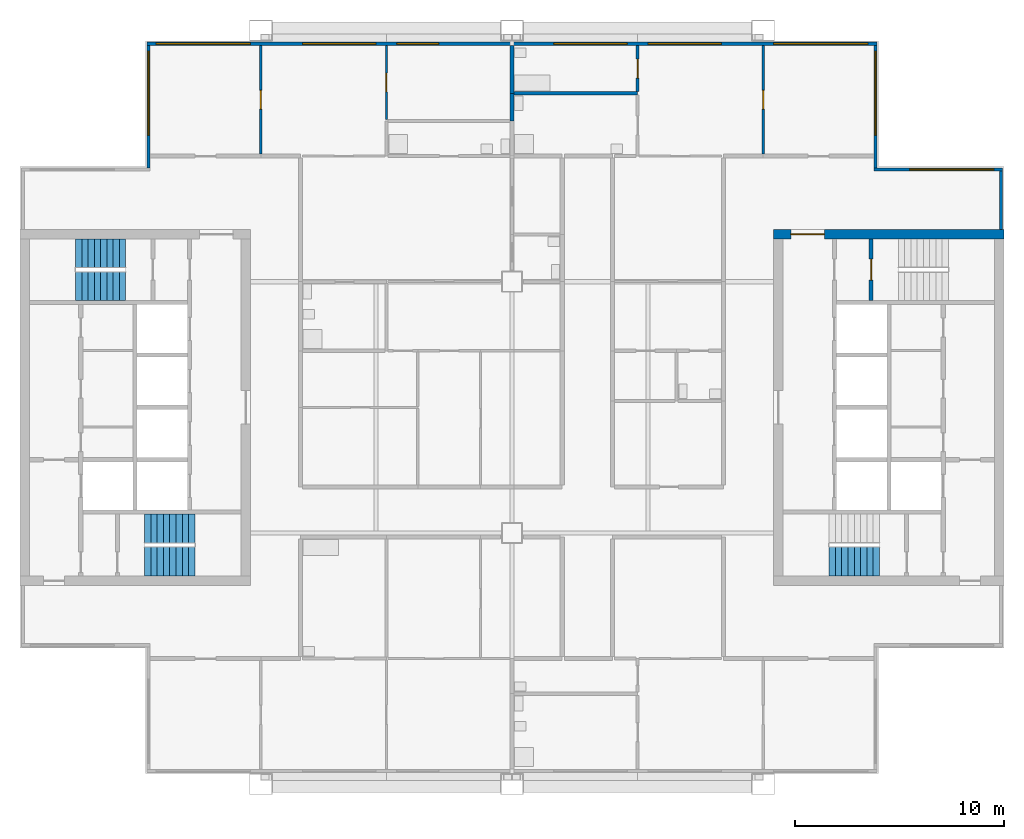
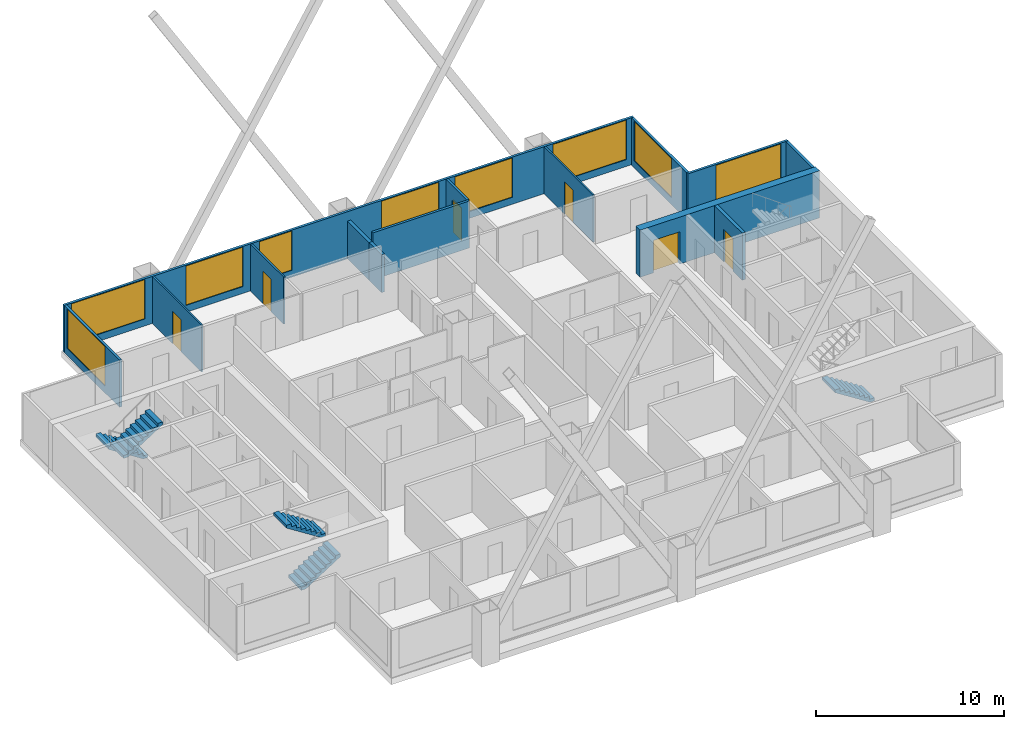
# One storey, part 6 of 9: 14 walls, 9 windows, 6 doors, 5 stair flights, 15 openings, 3 elements without a shape of their own.
"""IFC4 building model written with IfcOpenShell, lengths in metres."""

import ifcopenshell
import ifcopenshell.guid

model = None  # the IFC model being written
_history = None  # IfcOwnerHistory: only IFC2X3 demands one
_inside = {}  # id of a spatial element -> (the spatial element, [elements in it])
_under = {}  # id of a project, library or spatial element -> (it, [spatial elements below it])
_declared = {}  # id of a project -> (the project, [libraries it declares])
_typed = {}  # id of a type object -> (the type object, [elements of that type])
_made_of = {}  # id of a material, layer set ... -> (it, [elements and type objects made of it])


def new_model(schema):
    """Start an empty IFC model of exactly this schema.

    Asked for "IFC4X3", IfcOpenShell would pick the latest addendum, in which some entities
    have other attributes; the version numbers below select the first issue.
    IFC2X3 requires an IfcOwnerHistory on every rooted entity: one is made here for all.
    """
    global model, _history
    if schema == "IFC4X3":
        model = ifcopenshell.file(schema_version=(4, 3, 0, 0))
    else:
        model = ifcopenshell.file(schema=schema)
    _inside.clear()
    _under.clear()
    _declared.clear()
    _typed.clear()
    _made_of.clear()
    _history = None
    if model.schema == "IFC2X3":
        org = make("IfcOrganization", Name="unknown")
        user = make(
            "IfcPersonAndOrganization",
            ThePerson=make("IfcPerson", FamilyName="unknown"),
            TheOrganization=org,
        )
        app = make(
            "IfcApplication",
            ApplicationDeveloper=org,
            Version="unknown",
            ApplicationFullName="unknown",
            ApplicationIdentifier="unknown",
        )
        _history = make(
            "IfcOwnerHistory",
            OwningUser=user,
            OwningApplication=app,
            ChangeAction="ADDED",
            CreationDate=0,
        )
    return model


def make(cls, **values):
    """One entity of the class cls with the attributes given. An attribute that is None is left unset."""
    return model.create_entity(
        cls, **{name: value for name, value in values.items() if value is not None}
    )


def rooted(cls, **values):
    """An entity with a GlobalId (a new one), such as an element, a storey or a relation."""
    return make(cls, GlobalId=ifcopenshell.guid.new(), OwnerHistory=_history, **values)


def si_unit(unit_type, name, prefix=None):
    """IfcSIUnit, for example si_unit("LENGTHUNIT", "METRE", prefix="MILLI")."""
    return make("IfcSIUnit", UnitType=unit_type, Prefix=prefix, Name=name)


def assignment(units):
    """IfcUnitAssignment: the units of a project."""
    return None if units is None else make("IfcUnitAssignment", Units=units)


def point(xyz):
    """IfcCartesianPoint."""
    return None if xyz is None else make("IfcCartesianPoint", Coordinates=xyz)


def direction(xyz):
    """IfcDirection."""
    return None if xyz is None else make("IfcDirection", DirectionRatios=xyz)


def frame(location, z_axis=None, x_axis=None):
    """IfcAxis2Placement3D, a coordinate frame: its origin and axes. An axis left out is left unset."""
    return make(
        "IfcAxis2Placement3D",
        Location=point(location),
        Axis=direction(z_axis),
        RefDirection=direction(x_axis),
    )


def frame_2d(location, x_axis=None):
    """IfcAxis2Placement2D, a coordinate frame in the plane: its origin and x axis."""
    return make(
        "IfcAxis2Placement2D", Location=point(location), RefDirection=direction(x_axis)
    )


def origin():
    """The frame at (0, 0, 0) with its axes left unset."""
    return frame((0.0, 0.0, 0.0))


def place(relative_to, where):
    """IfcLocalPlacement: puts the frame where relative to a parent placement (None: the world)."""
    return make(
        "IfcLocalPlacement", PlacementRelTo=relative_to, RelativePlacement=where
    )


def context(
    kind, dimensions, precision=None, world=None, true_north=None, identifier=None
):
    """IfcGeometricRepresentationContext, for example the 3D "Model" context."""
    return make(
        "IfcGeometricRepresentationContext",
        ContextIdentifier=identifier,
        ContextType=kind,
        CoordinateSpaceDimension=dimensions,
        Precision=precision,
        WorldCoordinateSystem=world,
        TrueNorth=true_north,
    )


def subcontext(parent, identifier, kind, view, scale=None):
    """IfcGeometricRepresentationSubContext, for example "Body" below "Model"."""
    return make(
        "IfcGeometricRepresentationSubContext",
        ContextIdentifier=identifier,
        ContextType=kind,
        ParentContext=parent,
        TargetScale=scale,
        TargetView=view,
    )


def project(units=None, contexts=None):
    """IfcProject with its units and contexts."""
    return rooted(
        "IfcProject",
        Name="project",
        RepresentationContexts=contexts,
        UnitsInContext=assignment(units),
    )


def spatial(cls, under=None, at=None, **own):
    """A site, building, storey or space (cls), placed at a placement, below another one or the project."""
    s = rooted(cls, ObjectPlacement=at, **own)
    if under is not None:
        _under.setdefault(under.id(), (under, []))[1].append(s)
    return s


def polyline(points):
    """IfcPolyline through the points."""
    return make("IfcPolyline", Points=[point(p) for p in points])


def profile(cls, at=None, kind="AREA", **sizes):
    """A parametric profile (cls). Its sizes go by their IFC names, for example OverallWidth=200.0."""
    return make(cls, ProfileType=kind, Position=at, **sizes)


def rectangle(**sizes):
    """IfcRectangleProfileDef."""
    return profile("IfcRectangleProfileDef", **sizes)


def outline(outer, holes=None, kind="AREA"):
    """IfcArbitraryClosedProfileDef: a profile drawn as a closed curve; with holes, ...WithVoids."""
    if holes is None:
        return make("IfcArbitraryClosedProfileDef", ProfileType=kind, OuterCurve=outer)
    return make(
        "IfcArbitraryProfileDefWithVoids",
        ProfileType=kind,
        OuterCurve=outer,
        InnerCurves=holes,
    )


def extrude(swept, where, along, depth):
    """IfcExtrudedAreaSolid: the profile swept, set in the frame where, extruded along a direction by depth."""
    return make(
        "IfcExtrudedAreaSolid",
        SweptArea=swept,
        Position=where,
        ExtrudedDirection=direction(along),
        Depth=depth,
    )


def shape(context_of_items, identifier, shape_type, items):
    """IfcShapeRepresentation: the items that make up one representation, for example the "Body"."""
    return make(
        "IfcShapeRepresentation",
        ContextOfItems=context_of_items,
        RepresentationIdentifier=identifier,
        RepresentationType=shape_type,
        Items=items,
    )


def material(Name=None, Category=None):
    """IfcMaterial."""
    return make("IfcMaterial", Name=Name, Category=Category)


def layer(
    of_material, thickness, ventilated=None, Name=None, Category=None, Priority=None
):
    """IfcMaterialLayer: one layer of a wall or slab, of a material (None: an air gap)."""
    return make(
        "IfcMaterialLayer",
        Material=of_material,
        LayerThickness=thickness,
        IsVentilated=ventilated,
        Name=Name,
        Category=Category,
        Priority=Priority,
    )


def layer_set(layers, Name=None):
    """IfcMaterialLayerSet."""
    return make("IfcMaterialLayerSet", MaterialLayers=layers, LayerSetName=Name)


def made_of(thing, what):
    """Note that an element or type object is made of a material, layer set ...; save() writes the relation."""
    if what is not None:
        _made_of.setdefault(what.id(), (what, []))[1].append(thing)
    return thing


def type_object(cls, material=None, **own):
    """A type object (cls), such as IfcWallType, which elements share."""
    return made_of(rooted(cls, **own), material)


def element(
    cls,
    number,
    at=None,
    inside=None,
    cuts=None,
    type_object=None,
    material=None,
    context=None,
    identifier="Body",
    shape_type=None,
    held_by="IfcProductDefinitionShape",
    body=None,
    shapes=None,
    **own,
):
    """One element of the class cls, such as IfcWall. Its Tag is "e" and its number.

    at: its placement. inside: the storey or other place that contains it. cuts: it is an
    opening in that element (IfcRelVoidsElement). A single representation is given by context,
    identifier, shape_type and body (its items); several are given by shapes. held_by: the class
    of the entity that holds the representations. save() writes the other relations.
    """
    e = rooted(cls, Tag="e%d" % number, ObjectPlacement=at, **own)
    if body is not None:
        shapes = [shape(context, identifier, shape_type, body)]
    if shapes is not None:
        e.Representation = make(held_by, Representations=shapes)
    if inside is not None:
        _inside.setdefault(inside.id(), (inside, []))[1].append(e)
    if cuts is not None:
        rooted(
            "IfcRelVoidsElement", RelatingBuildingElement=cuts, RelatedOpeningElement=e
        )
    if type_object is not None:
        _typed.setdefault(type_object.id(), (type_object, []))[1].append(e)
    return made_of(e, material)


def fill(opening, filler):
    """IfcRelFillsElement: the door or window that sits in an opening."""
    return rooted(
        "IfcRelFillsElement",
        RelatingOpeningElement=opening,
        RelatedBuildingElement=filler,
    )


def aggregate(whole, parts):
    """IfcRelAggregates: a whole, such as a stair, and the parts it consists of."""
    return rooted("IfcRelAggregates", RelatingObject=whole, RelatedObjects=parts)


def save(model, path):
    """Write the relations noted so far, then the file.

    IfcRelAggregates (storeys below a building ...), IfcRelContainedInSpatialStructure (elements
    in a storey), IfcRelDefinesByType, IfcRelAssociatesMaterial and IfcRelDeclares: one each for
    every whole, place, type object, material and project.
    """
    for whole, parts in _under.values():
        aggregate(whole, parts)
    for where, things in _inside.values():
        rooted(
            "IfcRelContainedInSpatialStructure",
            RelatedElements=things,
            RelatingStructure=where,
        )
    for kind, things in _typed.values():
        rooted("IfcRelDefinesByType", RelatedObjects=things, RelatingType=kind)
    for what, things in _made_of.values():
        rooted("IfcRelAssociatesMaterial", RelatedObjects=things, RelatingMaterial=what)
    for by, libraries in _declared.values():
        rooted("IfcRelDeclares", RelatingContext=by, RelatedDefinitions=libraries)
    model.write(path)


model = new_model("IFC4")

# Units and contexts
model_context = context("Model", 3, precision=1e-05, world=origin(), true_north=direction((0.0, 1.0)))
body_context = subcontext(model_context, "Body", "Model", "MODEL_VIEW")
ifc_project = project(units=[si_unit("LENGTHUNIT", "METRE"), si_unit("AREAUNIT", "SQUARE_METRE"), si_unit("VOLUMEUNIT", "CUBIC_METRE"), si_unit("PLANEANGLEUNIT", "RADIAN"), si_unit("MASSUNIT", "GRAM", prefix="KILO")], contexts=[model_context])

# Site, building, storey
site_placement = place(None, origin())
site = spatial("IfcSite", under=ifc_project, at=site_placement, CompositionType="ELEMENT")
building_placement = place(site_placement, origin())
building = spatial("IfcBuilding", under=site, at=building_placement, Name="Kitamizu Gate Tower and Museum", CompositionType="ELEMENT")
storey_placement = place(building_placement, frame((0.0, 0.0, 217.949951171875)))
storey = spatial("IfcBuildingStorey", under=building, at=storey_placement, Name="L58", CompositionType="ELEMENT", Elevation=217.949951171875)

# Wall, opening, door
ifc_material_1 = material(Name="Concrete Fc42", Category="concrete")
ifc_layer_1 = layer(ifc_material_1, 0.449951171875)
ifc_layer_set_1 = layer_set([ifc_layer_1], Name="Concrete Fc42")
wall_type_1 = type_object("IfcWallType", Name="Core wall 450", PredefinedType="SHEAR", material=ifc_layer_set_1)
wall_1_placement = place(storey_placement, frame((59.5, 38.27490234375, 0.0), z_axis=(0.0, 0.0, 1.0), x_axis=(-1.0, 0.0, 0.0)))
wall_1 = element("IfcWall", 1, at=wall_1_placement, inside=storey, type_object=wall_type_1, Name="Core wall EN", PredefinedType="SHEAR", context=body_context, shape_type="SweptSolid", body=[
    extrude(rectangle(XDim=11.0, YDim=0.449951171875, at=frame_2d((5.5, 0.0))), origin(), (0.0, 0.0, 1.0), 3.050048828125),
])
opening_1_placement = place(wall_1_placement, frame((8.574951171875, 0.0, 0.0)))
opening_1 = element("IfcOpeningElement", 2, at=opening_1_placement, cuts=wall_1, Name="Opening L58-051", PredefinedType="OPENING", context=body_context, shape_type="SweptSolid", body=[
    extrude(rectangle(XDim=1.60009765625, YDim=2.10009765625, at=frame_2d((0.800048828125, 1.050048828125))), frame((0.0, 0.23486328125, 0.0), z_axis=(0.0, -1.0, 0.0), x_axis=(1.0, 0.0, 0.0)), (0.0, 0.0, 1.0), 0.469970703125),
])
ifc_material_2 = material(Name="Timber door set", Category="wood")
door_type_1 = type_object("IfcDoorType", Name="Entrance door 1600", OperationType="DOUBLE_DOOR_SINGLE_SWING", PredefinedType="DOOR", material=ifc_material_2)
door_1_placement = place(opening_1_placement, origin())
door_1 = element("IfcDoor", 3, at=door_1_placement, inside=storey, type_object=door_type_1, Name="Lobby door L58-051", OperationType="DOUBLE_DOOR_SINGLE_SWING", OverallHeight=2.10009765625, OverallWidth=1.60009765625, PredefinedType="DOOR", context=body_context, shape_type="SweptSolid", body=[
    extrude(rectangle(XDim=1.60009765625, YDim=2.10009765625, at=frame_2d((0.800048828125, 1.050048828125))), frame((0.0, 0.02490234375, 0.0), z_axis=(0.0, -1.0, 0.0), x_axis=(1.0, 0.0, 0.0)), (0.0, 0.0, 1.0), 0.050048828125),
])
fill(opening_1, door_1)

ifc_material_3 = material(Name="Gypsum board on galvanised stud")
ifc_layer_2 = layer(ifc_material_3, 0.10009765625)
ifc_layer_set_2 = layer_set([ifc_layer_2], Name="Gypsum board on galvanised stud")
wall_type_2 = type_object("IfcWallType", Name="Partition 100 NOT RATED", PredefinedType="PARTITIONING", material=ifc_layer_set_2)
wall_2_placement = place(storey_placement, frame((24.0, 42.10009765625, 0.0), z_axis=(0.0, 0.0, 1.0), x_axis=(0.0, 1.0, 0.0)))
wall_2 = element("IfcWall", 4, at=wall_2_placement, inside=storey, type_object=wall_type_2, Name="Partition L58-031", PredefinedType="PARTITIONING", context=body_context, shape_type="SweptSolid", body=[
    extrude(rectangle(XDim=5.179931640625, YDim=0.10009765625, at=frame_2d((2.58984375, 0.0))), origin(), (0.0, 0.0, 1.0), 3.050048828125),
])
opening_2_placement = place(wall_2_placement, frame((2.139892578125, 0.0, 0.0)))
opening_2 = element("IfcOpeningElement", 5, at=opening_2_placement, cuts=wall_2, Name="Opening L58-013", PredefinedType="OPENING", context=body_context, shape_type="SweptSolid", body=[
    extrude(rectangle(XDim=0.89990234375, YDim=2.10009765625, at=frame_2d((0.449951171875, 1.050048828125))), frame((0.0, 0.06005859375, 0.0), z_axis=(0.0, -1.0, 0.0), x_axis=(1.0, 0.0, 0.0)), (0.0, 0.0, 1.0), 0.1201171875),
])
ifc_material_4 = material(Name="Timber door set", Category="wood")
door_type_2 = type_object("IfcDoorType", Name="Room door 900", OperationType="NOTDEFINED", PredefinedType="DOOR", material=ifc_material_4)
door_2_placement = place(opening_2_placement, frame((0.89990234375, 0.0, 0.0), x_axis=(-1.0, 0.0, 0.0)))
door_2 = element("IfcDoor", 6, at=door_2_placement, inside=storey, type_object=door_type_2, Name="Door L58-013", OperationType="SINGLE_SWING_LEFT", OverallHeight=2.10009765625, OverallWidth=0.89990234375, PredefinedType="DOOR", context=body_context, shape_type="SweptSolid", body=[
    extrude(rectangle(XDim=0.89990234375, YDim=2.10009765625, at=frame_2d((0.449951171875, 1.050048828125))), frame((0.0, 0.02490234375, 0.0), z_axis=(0.0, -1.0, 0.0), x_axis=(1.0, 0.0, 0.0)), (0.0, 0.0, 1.0), 0.050048828125),
])
fill(opening_2, door_2)

wall_3_placement = place(storey_placement, frame((30.0, 43.7548828125, 0.0), z_axis=(0.0, 0.0, 1.0), x_axis=(0.0, 1.0, 0.0)))
wall_3 = element("IfcWall", 7, at=wall_3_placement, inside=storey, type_object=wall_type_2, Name="Partition L58-033", PredefinedType="PARTITIONING", context=body_context, shape_type="SweptSolid", body=[
    extrude(rectangle(XDim=3.525146484375, YDim=0.10009765625, at=frame_2d((1.7626953125, 0.0))), origin(), (0.0, 0.0, 1.0), 3.050048828125),
])
opening_3_placement = place(wall_3_placement, frame((1.3125, 0.0, 0.0)))
opening_3 = element("IfcOpeningElement", 8, at=opening_3_placement, cuts=wall_3, Name="Opening L58-017", PredefinedType="OPENING", context=body_context, shape_type="SweptSolid", body=[
    extrude(rectangle(XDim=0.89990234375, YDim=2.10009765625, at=frame_2d((0.449951171875, 1.050048828125))), frame((0.0, 0.06005859375, 0.0), z_axis=(0.0, -1.0, 0.0), x_axis=(1.0, 0.0, 0.0)), (0.0, 0.0, 1.0), 0.1201171875),
])
door_3_placement = place(opening_3_placement, frame((0.89990234375, 0.0, 0.0), x_axis=(-1.0, 0.0, 0.0)))
door_3 = element("IfcDoor", 9, at=door_3_placement, inside=storey, type_object=door_type_2, Name="Door L58-017", OperationType="SINGLE_SWING_LEFT", OverallHeight=2.10009765625, OverallWidth=0.89990234375, PredefinedType="DOOR", context=body_context, shape_type="SweptSolid", body=[
    extrude(rectangle(XDim=0.89990234375, YDim=2.10009765625, at=frame_2d((0.449951171875, 1.050048828125))), frame((0.0, 0.02490234375, 0.0), z_axis=(0.0, -1.0, 0.0), x_axis=(1.0, 0.0, 0.0)), (0.0, 0.0, 1.0), 0.050048828125),
])
fill(opening_3, door_3)

wall_4_placement = place(storey_placement, frame((48.0, 42.10009765625, 0.0), z_axis=(0.0, 0.0, 1.0), x_axis=(0.0, 1.0, 0.0)))
wall_4 = element("IfcWall", 10, at=wall_4_placement, inside=storey, type_object=wall_type_2, Name="Partition L58-076", PredefinedType="PARTITIONING", context=body_context, shape_type="SweptSolid", body=[
    extrude(rectangle(XDim=5.179931640625, YDim=0.10009765625, at=frame_2d((2.58984375, 0.0))), origin(), (0.0, 0.0, 1.0), 3.050048828125),
])
opening_4_placement = place(wall_4_placement, frame((2.139892578125, 0.0, 0.0)))
opening_4 = element("IfcOpeningElement", 11, at=opening_4_placement, cuts=wall_4, Name="Opening L58-026", PredefinedType="OPENING", context=body_context, shape_type="SweptSolid", body=[
    extrude(rectangle(XDim=0.89990234375, YDim=2.10009765625, at=frame_2d((0.449951171875, 1.050048828125))), frame((0.0, 0.06005859375, 0.0), z_axis=(0.0, -1.0, 0.0), x_axis=(1.0, 0.0, 0.0)), (0.0, 0.0, 1.0), 0.1201171875),
])
door_4_placement = place(opening_4_placement, origin())
door_4 = element("IfcDoor", 12, at=door_4_placement, inside=storey, type_object=door_type_2, Name="Door L58-026", OperationType="SINGLE_SWING_RIGHT", OverallHeight=2.10009765625, OverallWidth=0.89990234375, PredefinedType="DOOR", context=body_context, shape_type="SweptSolid", body=[
    extrude(rectangle(XDim=0.89990234375, YDim=2.10009765625, at=frame_2d((0.449951171875, 1.050048828125))), frame((0.0, 0.02490234375, 0.0), z_axis=(0.0, -1.0, 0.0), x_axis=(1.0, 0.0, 0.0)), (0.0, 0.0, 1.0), 0.050048828125),
])
fill(opening_4, door_4)

# Wall
ifc_material_5 = material(Name="Gypsum board on galvanised stud")
ifc_layer_3 = layer(ifc_material_5, 0.14990234375)
ifc_layer_set_3 = layer_set([ifc_layer_3], Name="Gypsum board on galvanised stud")
wall_type_3 = type_object("IfcWallType", Name="Partition 150", PredefinedType="PARTITIONING", material=ifc_layer_set_3)
wall_5_placement = place(storey_placement, frame((42.0, 45.0, 0.0), z_axis=(0.0, 0.0, 1.0), x_axis=(-1.0, 0.0, 0.0)))
element("IfcWall", 13, at=wall_5_placement, inside=storey, type_object=wall_type_3, Name="Partition L58-071", PredefinedType="PARTITIONING", context=body_context, shape_type="SweptSolid", body=[
    extrude(rectangle(XDim=5.89990234375, YDim=0.14990234375, at=frame_2d((2.949951171875, 0.0))), origin(), (0.0, 0.0, 1.0), 3.050048828125),
])

# Wall, opening, door
wall_6_placement = place(storey_placement, frame((42.0, 45.074951171875, 0.0), z_axis=(0.0, 0.0, 1.0), x_axis=(0.0, 1.0, 0.0)))
wall_6 = element("IfcWall", 14, at=wall_6_placement, inside=storey, type_object=wall_type_3, Name="Partition L58-075", PredefinedType="PARTITIONING", context=body_context, shape_type="SweptSolid", body=[
    extrude(rectangle(XDim=2.205078125, YDim=0.14990234375, at=frame_2d((1.1025390625, 0.0))), origin(), (0.0, 0.0, 1.0), 3.050048828125),
])
opening_5_placement = place(wall_6_placement, frame((0.652587890625, 0.0, 0.0)))
opening_5 = element("IfcOpeningElement", 15, at=opening_5_placement, cuts=wall_6, Name="Opening L58-029", PredefinedType="OPENING", context=body_context, shape_type="SweptSolid", body=[
    extrude(rectangle(XDim=0.89990234375, YDim=2.10009765625, at=frame_2d((0.449951171875, 1.050048828125))), frame((0.0, 0.0849609375, 0.0), z_axis=(0.0, -1.0, 0.0), x_axis=(1.0, 0.0, 0.0)), (0.0, 0.0, 1.0), 0.169921875),
])
ifc_material_6 = material(Name="Timber door set", Category="wood")
door_type_3 = type_object("IfcDoorType", Name="Bathroom door 900", OperationType="NOTDEFINED", PredefinedType="DOOR", material=ifc_material_6)
door_5_placement = place(opening_5_placement, origin())
door_5 = element("IfcDoor", 16, at=door_5_placement, inside=storey, type_object=door_type_3, Name="Bathroom door L58-029", OperationType="SINGLE_SWING_LEFT", OverallHeight=2.10009765625, OverallWidth=0.89990234375, PredefinedType="DOOR", context=body_context, shape_type="SweptSolid", body=[
    extrude(rectangle(XDim=0.89990234375, YDim=2.10009765625, at=frame_2d((0.449951171875, 1.050048828125))), frame((0.0, 0.02490234375, 0.0), z_axis=(0.0, -1.0, 0.0), x_axis=(1.0, 0.0, 0.0)), (0.0, 0.0, 1.0), 0.050048828125),
])
fill(opening_5, door_5)

# Walls
ifc_material_7 = material(Name="Gypsum board on galvanised stud")
ifc_layer_4 = layer(ifc_material_7, 0.199951171875)
ifc_layer_set_4 = layer_set([ifc_layer_4], Name="Gypsum board on galvanised stud")
wall_type_4 = type_object("IfcWallType", Name="Partition 200", PredefinedType="PARTITIONING", material=ifc_layer_set_4)
wall_7_placement = place(storey_placement, frame((36.0, 43.679931640625, 0.0), z_axis=(0.0, 0.0, 1.0), x_axis=(0.0, 1.0, 0.0)))
element("IfcWall", 17, at=wall_7_placement, inside=storey, type_object=wall_type_4, Name="Partition L58-038", PredefinedType="PARTITIONING", context=body_context, shape_type="SweptSolid", body=[
    extrude(rectangle(XDim=1.320068359375, YDim=0.199951171875, at=frame_2d((0.66015625, 0.0))), origin(), (0.0, 0.0, 1.0), 2.449951171875),
])
wall_8_placement = place(storey_placement, frame((36.0, 45.0, 0.0), z_axis=(0.0, 0.0, 1.0), x_axis=(0.0, 1.0, 0.0)))
element("IfcWall", 18, at=wall_8_placement, inside=storey, type_object=wall_type_4, Name="Partition L58-039", PredefinedType="PARTITIONING", context=body_context, shape_type="SweptSolid", body=[
    extrude(rectangle(XDim=2.280029296875, YDim=0.199951171875, at=frame_2d((1.14013671875, 0.0))), origin(), (0.0, 0.0, 1.0), 2.449951171875),
])

# Wall, opening, door
ifc_material_8 = material(Name="Concrete Fc42", Category="concrete")
ifc_layer_5 = layer(ifc_material_8, 0.199951171875)
ifc_layer_set_5 = layer_set([ifc_layer_5], Name="Concrete Fc42")
wall_type_5 = type_object("IfcWallType", Name="Shaft wall 200", PredefinedType="SOLIDWALL", material=ifc_layer_set_5)
wall_9_placement = place(storey_placement, frame((53.14990234375, 35.10009765625, 0.0), z_axis=(0.0, 0.0, 1.0), x_axis=(0.0, 1.0, 0.0)))
wall_9 = element("IfcWall", 19, at=wall_9_placement, inside=storey, type_object=wall_type_5, Name="Shaft wall ENZ", PredefinedType="SOLIDWALL", context=body_context, shape_type="SweptSolid", body=[
    extrude(rectangle(XDim=2.949951171875, YDim=0.199951171875, at=frame_2d((1.47509765625, 0.0))), origin(), (0.0, 0.0, 1.0), 3.050048828125),
])
opening_6_placement = place(wall_9_placement, frame((0.97509765625, 0.0, 0.0)))
opening_6 = element("IfcOpeningElement", 20, at=opening_6_placement, cuts=wall_9, Name="Opening L58-048", PredefinedType="OPENING", context=body_context, shape_type="SweptSolid", body=[
    extrude(rectangle(XDim=1.0, YDim=2.10009765625, at=frame_2d((0.5, 1.050048828125))), frame((0.0, 0.10986328125, 0.0), z_axis=(0.0, -1.0, 0.0), x_axis=(1.0, 0.0, 0.0)), (0.0, 0.0, 1.0), 0.219970703125),
])
ifc_material_9 = material(Name="Hollow metal door set")
door_type_4 = type_object("IfcDoorType", Name="Fire door 1000", OperationType="NOTDEFINED", PredefinedType="DOOR", material=ifc_material_9)
door_6_placement = place(opening_6_placement, frame((1.0, 0.0, 0.0), x_axis=(-1.0, 0.0, 0.0)))
door_6 = element("IfcDoor", 21, at=door_6_placement, inside=storey, type_object=door_type_4, Name="Stair door L58-048", OperationType="SINGLE_SWING_LEFT", OverallHeight=2.10009765625, OverallWidth=1.0, PredefinedType="DOOR", context=body_context, shape_type="SweptSolid", body=[
    extrude(rectangle(XDim=1.0, YDim=2.10009765625, at=frame_2d((0.5, 1.050048828125))), frame((0.0, 0.02490234375, 0.0), z_axis=(0.0, -1.0, 0.0), x_axis=(1.0, 0.0, 0.0)), (0.0, 0.0, 1.0), 0.050048828125),
])
fill(opening_6, door_6)

# Wall
ifc_material_10 = material(Name="Bronze anodised aluminium frame with insulated spandrel and tinted glass", Category="aluminium")
ifc_layer_6 = layer(ifc_material_10, 0.14990234375)
ifc_layer_set_6 = layer_set([ifc_layer_6], Name="Bronze anodised aluminium frame with insulated spandrel and tinted glass")
wall_type_6 = type_object("IfcWallType", Name="WINDOW WALL 150 BRONZE FRAME EI 30", PredefinedType="ELEMENTEDWALL", material=ifc_layer_set_6)
wall_10_placement = place(storey_placement, frame((59.364990234375, 38.5, 0.0), z_axis=(0.0, 0.0, 1.0), x_axis=(0.0, 1.0, 0.0)))
element("IfcWall", 22, at=wall_10_placement, inside=storey, type_object=wall_type_6, Name="Window wall east L58", PredefinedType="ELEMENTEDWALL", context=body_context, shape_type="SweptSolid", body=[
    extrude(rectangle(XDim=2.7900390625, YDim=0.14990234375, at=frame_2d((1.39501953125, 0.0))), origin(), (0.0, 0.0, 1.0), 3.050048828125),
])

# Wall, opening, window
wall_11_placement = place(storey_placement, frame((53.2900390625, 41.364990234375, 0.0), z_axis=(0.0, 0.0, 1.0), x_axis=(1.0, 0.0, 0.0)))
wall_11 = element("IfcWall", 23, at=wall_11_placement, inside=storey, type_object=wall_type_6, Name="Window wall north L58", PredefinedType="ELEMENTEDWALL", context=body_context, shape_type="SweptSolid", body=[
    extrude(rectangle(XDim=6.14990234375, YDim=0.14990234375, at=frame_2d((3.074951171875, 0.0))), origin(), (0.0, 0.0, 1.0), 3.050048828125),
])
opening_7_placement = place(wall_11_placement, frame((1.7099609375, 0.0, 0.449951171875)))
opening_7 = element("IfcOpeningElement", 24, at=opening_7_placement, cuts=wall_11, Name="Opening W16", PredefinedType="OPENING", context=body_context, shape_type="SweptSolid", body=[
    extrude(rectangle(XDim=4.0, YDim=2.550048828125, at=frame_2d((2.0, 1.27490234375))), frame((0.0, 0.0849609375, 0.0), z_axis=(0.0, -1.0, 0.0), x_axis=(1.0, 0.0, 0.0)), (0.0, 0.0, 1.0), 0.169921875),
])
ifc_material_11 = material(Name="Bronze anodised aluminium frame, tinted triple glazing", Category="aluminium")
window_type_1 = type_object("IfcWindowType", Name="WINDOW 4000 x 2550 SILL 450", PartitioningType="SINGLE_PANEL", PredefinedType="WINDOW", material=ifc_material_11)
window_1_placement = place(opening_7_placement, origin())
window_1 = element("IfcWindow", 25, at=window_1_placement, inside=storey, type_object=window_type_1, Name="Window W16 L58", OverallHeight=2.550048828125, OverallWidth=4.0, PartitioningType="SINGLE_PANEL", PredefinedType="WINDOW", context=body_context, shape_type="SweptSolid", body=[
    extrude(rectangle(XDim=4.0, YDim=2.550048828125, at=frame_2d((2.0, 1.27490234375))), frame((0.0, 0.030029296875, 0.0), z_axis=(0.0, -1.0, 0.0), x_axis=(1.0, 0.0, 0.0)), (0.0, 0.0, 1.0), 0.06005859375),
])
fill(opening_7, window_1)

wall_12_placement = place(storey_placement, frame((53.364990234375, 41.43994140625, 0.0), z_axis=(0.0, 0.0, 1.0), x_axis=(0.0, 1.0, 0.0)))
wall_12 = element("IfcWall", 26, at=wall_12_placement, inside=storey, type_object=wall_type_6, Name="Window wall east L58", PredefinedType="ELEMENTEDWALL", context=body_context, shape_type="SweptSolid", body=[
    extrude(rectangle(XDim=5.85009765625, YDim=0.14990234375, at=frame_2d((2.925048828125, 0.0))), origin(), (0.0, 0.0, 1.0), 3.050048828125),
])
opening_8_placement = place(wall_12_placement, frame((1.56005859375, 0.0, 0.449951171875)))
opening_8 = element("IfcOpeningElement", 27, at=opening_8_placement, cuts=wall_12, Name="Opening W16", PredefinedType="OPENING", context=body_context, shape_type="SweptSolid", body=[
    extrude(rectangle(XDim=4.0, YDim=2.550048828125, at=frame_2d((2.0, 1.27490234375))), frame((0.0, 0.0849609375, 0.0), z_axis=(0.0, -1.0, 0.0), x_axis=(1.0, 0.0, 0.0)), (0.0, 0.0, 1.0), 0.169921875),
])
window_2_placement = place(opening_8_placement, origin())
window_2 = element("IfcWindow", 28, at=window_2_placement, inside=storey, type_object=window_type_1, Name="Window W16 L58", OverallHeight=2.550048828125, OverallWidth=4.0, PartitioningType="SINGLE_PANEL", PredefinedType="WINDOW", context=body_context, shape_type="SweptSolid", body=[
    extrude(rectangle(XDim=4.0, YDim=2.550048828125, at=frame_2d((2.0, 1.27490234375))), frame((0.0, 0.030029296875, 0.0), z_axis=(0.0, -1.0, 0.0), x_axis=(1.0, 0.0, 0.0)), (0.0, 0.0, 1.0), 0.06005859375),
])
fill(opening_8, window_2)

# Wall, openings, windows
wall_13_placement = place(storey_placement, frame((18.56005859375, 47.364990234375, 0.0), z_axis=(0.0, 0.0, 1.0), x_axis=(1.0, 0.0, 0.0)))
wall_13 = element("IfcWall", 29, at=wall_13_placement, inside=storey, type_object=wall_type_6, Name="Window wall north L58", PredefinedType="ELEMENTEDWALL", context=body_context, shape_type="SweptSolid", body=[
    extrude(rectangle(XDim=34.8798828125, YDim=0.14990234375, at=frame_2d((17.43994140625, 0.0))), origin(), (0.0, 0.0, 1.0), 3.050048828125),
])
opening_9_placement = place(wall_13_placement, frame((0.43994140625, 0.0, 0.449951171875)))
opening_9 = element("IfcOpeningElement", 30, at=opening_9_placement, cuts=wall_13, Name="Opening W15", PredefinedType="OPENING", context=body_context, shape_type="SweptSolid", body=[
    extrude(rectangle(XDim=4.5, YDim=2.550048828125, at=frame_2d((2.25, 1.27490234375))), frame((0.0, 0.0849609375, 0.0), z_axis=(0.0, -1.0, 0.0), x_axis=(1.0, 0.0, 0.0)), (0.0, 0.0, 1.0), 0.169921875),
])
opening_10_placement = place(wall_13_placement, frame((7.43994140625, 0.0, 0.449951171875)))
opening_10 = element("IfcOpeningElement", 31, at=opening_10_placement, cuts=wall_13, Name="Opening W35", PredefinedType="OPENING", context=body_context, shape_type="SweptSolid", body=[
    extrude(rectangle(XDim=3.5, YDim=2.550048828125, at=frame_2d((1.75, 1.27490234375))), frame((0.0, 0.0849609375, 0.0), z_axis=(0.0, -1.0, 0.0), x_axis=(1.0, 0.0, 0.0)), (0.0, 0.0, 1.0), 0.169921875),
])
opening_11_placement = place(wall_13_placement, frame((11.93994140625, 0.0, 0.449951171875)))
opening_11 = element("IfcOpeningElement", 32, at=opening_11_placement, cuts=wall_13, Name="Opening W2", PredefinedType="OPENING", context=body_context, shape_type="SweptSolid", body=[
    extrude(rectangle(XDim=2.0, YDim=2.550048828125, at=frame_2d((1.0, 1.27490234375))), frame((0.0, 0.0849609375, 0.0), z_axis=(0.0, -1.0, 0.0), x_axis=(1.0, 0.0, 0.0)), (0.0, 0.0, 1.0), 0.169921875),
])
opening_12_placement = place(wall_13_placement, frame((19.43994140625, 0.0, 0.449951171875)))
opening_12 = element("IfcOpeningElement", 33, at=opening_12_placement, cuts=wall_13, Name="Opening W35", PredefinedType="OPENING", context=body_context, shape_type="SweptSolid", body=[
    extrude(rectangle(XDim=3.5, YDim=2.550048828125, at=frame_2d((1.75, 1.27490234375))), frame((0.0, 0.0849609375, 0.0), z_axis=(0.0, -1.0, 0.0), x_axis=(1.0, 0.0, 0.0)), (0.0, 0.0, 1.0), 0.169921875),
])
opening_13_placement = place(wall_13_placement, frame((23.93994140625, 0.0, 0.449951171875)))
opening_13 = element("IfcOpeningElement", 34, at=opening_13_placement, cuts=wall_13, Name="Opening W35", PredefinedType="OPENING", context=body_context, shape_type="SweptSolid", body=[
    extrude(rectangle(XDim=3.5, YDim=2.550048828125, at=frame_2d((1.75, 1.27490234375))), frame((0.0, 0.0849609375, 0.0), z_axis=(0.0, -1.0, 0.0), x_axis=(1.0, 0.0, 0.0)), (0.0, 0.0, 1.0), 0.169921875),
])
opening_14_placement = place(wall_13_placement, frame((29.93994140625, 0.0, 0.449951171875)))
opening_14 = element("IfcOpeningElement", 35, at=opening_14_placement, cuts=wall_13, Name="Opening W15", PredefinedType="OPENING", context=body_context, shape_type="SweptSolid", body=[
    extrude(rectangle(XDim=4.5, YDim=2.550048828125, at=frame_2d((2.25, 1.27490234375))), frame((0.0, 0.0849609375, 0.0), z_axis=(0.0, -1.0, 0.0), x_axis=(1.0, 0.0, 0.0)), (0.0, 0.0, 1.0), 0.169921875),
])
ifc_material_12 = material(Name="Bronze anodised aluminium frame, tinted triple glazing", Category="aluminium")
window_type_2 = type_object("IfcWindowType", Name="WINDOW 2000 x 2550 SILL 450", PartitioningType="SINGLE_PANEL", PredefinedType="WINDOW", material=ifc_material_12)
window_3_placement = place(opening_11_placement, origin())
window_3 = element("IfcWindow", 36, at=window_3_placement, inside=storey, type_object=window_type_2, Name="Window W2 L58", OverallHeight=2.550048828125, OverallWidth=2.0, PartitioningType="SINGLE_PANEL", PredefinedType="WINDOW", context=body_context, shape_type="SweptSolid", body=[
    extrude(rectangle(XDim=2.0, YDim=2.550048828125, at=frame_2d((1.0, 1.27490234375))), frame((0.0, 0.030029296875, 0.0), z_axis=(0.0, -1.0, 0.0), x_axis=(1.0, 0.0, 0.0)), (0.0, 0.0, 1.0), 0.06005859375),
])
fill(opening_11, window_3)
ifc_material_13 = material(Name="Bronze anodised aluminium frame, tinted triple glazing", Category="aluminium")
window_type_3 = type_object("IfcWindowType", Name="WINDOW 3500 x 2550 SILL 450", PartitioningType="SINGLE_PANEL", PredefinedType="WINDOW", material=ifc_material_13)
window_4_placement = place(opening_10_placement, origin())
window_4 = element("IfcWindow", 37, at=window_4_placement, inside=storey, type_object=window_type_3, Name="Window W35 L58", OverallHeight=2.550048828125, OverallWidth=3.5, PartitioningType="SINGLE_PANEL", PredefinedType="WINDOW", context=body_context, shape_type="SweptSolid", body=[
    extrude(rectangle(XDim=3.5, YDim=2.550048828125, at=frame_2d((1.75, 1.27490234375))), frame((0.0, 0.030029296875, 0.0), z_axis=(0.0, -1.0, 0.0), x_axis=(1.0, 0.0, 0.0)), (0.0, 0.0, 1.0), 0.06005859375),
])
fill(opening_10, window_4)
window_5_placement = place(opening_12_placement, origin())
window_5 = element("IfcWindow", 38, at=window_5_placement, inside=storey, type_object=window_type_3, Name="Window W35 L58", OverallHeight=2.550048828125, OverallWidth=3.5, PartitioningType="SINGLE_PANEL", PredefinedType="WINDOW", context=body_context, shape_type="SweptSolid", body=[
    extrude(rectangle(XDim=3.5, YDim=2.550048828125, at=frame_2d((1.75, 1.27490234375))), frame((0.0, 0.030029296875, 0.0), z_axis=(0.0, -1.0, 0.0), x_axis=(1.0, 0.0, 0.0)), (0.0, 0.0, 1.0), 0.06005859375),
])
fill(opening_12, window_5)
window_6_placement = place(opening_13_placement, origin())
window_6 = element("IfcWindow", 39, at=window_6_placement, inside=storey, type_object=window_type_3, Name="Window W35 L58", OverallHeight=2.550048828125, OverallWidth=3.5, PartitioningType="SINGLE_PANEL", PredefinedType="WINDOW", context=body_context, shape_type="SweptSolid", body=[
    extrude(rectangle(XDim=3.5, YDim=2.550048828125, at=frame_2d((1.75, 1.27490234375))), frame((0.0, 0.030029296875, 0.0), z_axis=(0.0, -1.0, 0.0), x_axis=(1.0, 0.0, 0.0)), (0.0, 0.0, 1.0), 0.06005859375),
])
fill(opening_13, window_6)
ifc_material_14 = material(Name="Bronze anodised aluminium frame, tinted triple glazing", Category="aluminium")
window_type_4 = type_object("IfcWindowType", Name="WINDOW 4500 x 2550 SILL 450", PartitioningType="SINGLE_PANEL", PredefinedType="WINDOW", material=ifc_material_14)
window_7_placement = place(opening_9_placement, origin())
window_7 = element("IfcWindow", 40, at=window_7_placement, inside=storey, type_object=window_type_4, Name="Window W15 L58", OverallHeight=2.550048828125, OverallWidth=4.5, PartitioningType="SINGLE_PANEL", PredefinedType="WINDOW", context=body_context, shape_type="SweptSolid", body=[
    extrude(rectangle(XDim=4.5, YDim=2.550048828125, at=frame_2d((2.25, 1.27490234375))), frame((0.0, 0.030029296875, 0.0), z_axis=(0.0, -1.0, 0.0), x_axis=(1.0, 0.0, 0.0)), (0.0, 0.0, 1.0), 0.06005859375),
])
fill(opening_9, window_7)
window_8_placement = place(opening_14_placement, origin())
window_8 = element("IfcWindow", 41, at=window_8_placement, inside=storey, type_object=window_type_4, Name="Window W15 L58", OverallHeight=2.550048828125, OverallWidth=4.5, PartitioningType="SINGLE_PANEL", PredefinedType="WINDOW", context=body_context, shape_type="SweptSolid", body=[
    extrude(rectangle(XDim=4.5, YDim=2.550048828125, at=frame_2d((2.25, 1.27490234375))), frame((0.0, 0.030029296875, 0.0), z_axis=(0.0, -1.0, 0.0), x_axis=(1.0, 0.0, 0.0)), (0.0, 0.0, 1.0), 0.06005859375),
])
fill(opening_14, window_8)

# Wall, opening, window
wall_14_placement = place(storey_placement, frame((18.635009765625, 41.43994140625, 0.0), z_axis=(0.0, 0.0, 1.0), x_axis=(0.0, 1.0, 0.0)))
wall_14 = element("IfcWall", 42, at=wall_14_placement, inside=storey, type_object=wall_type_6, Name="Window wall west L58", PredefinedType="ELEMENTEDWALL", context=body_context, shape_type="SweptSolid", body=[
    extrude(rectangle(XDim=5.85009765625, YDim=0.14990234375, at=frame_2d((2.925048828125, 0.0))), origin(), (0.0, 0.0, 1.0), 3.050048828125),
])
opening_15_placement = place(wall_14_placement, frame((1.56005859375, 0.0, 0.449951171875)))
opening_15 = element("IfcOpeningElement", 43, at=opening_15_placement, cuts=wall_14, Name="Opening W16", PredefinedType="OPENING", context=body_context, shape_type="SweptSolid", body=[
    extrude(rectangle(XDim=4.0, YDim=2.550048828125, at=frame_2d((2.0, 1.27490234375))), frame((0.0, 0.0849609375, 0.0), z_axis=(0.0, -1.0, 0.0), x_axis=(1.0, 0.0, 0.0)), (0.0, 0.0, 1.0), 0.169921875),
])
window_9_placement = place(opening_15_placement, origin())
window_9 = element("IfcWindow", 44, at=window_9_placement, inside=storey, type_object=window_type_1, Name="Window W16 L58", OverallHeight=2.550048828125, OverallWidth=4.0, PartitioningType="SINGLE_PANEL", PredefinedType="WINDOW", context=body_context, shape_type="SweptSolid", body=[
    extrude(rectangle(XDim=4.0, YDim=2.550048828125, at=frame_2d((2.0, 1.27490234375))), frame((0.0, 0.030029296875, 0.0), z_axis=(0.0, -1.0, 0.0), x_axis=(1.0, 0.0, 0.0)), (0.0, 0.0, 1.0), 0.06005859375),
])
fill(opening_15, window_9)

# Stair, stair flights
ifc_material_15 = material(Name="Concrete Fc42", Category="concrete")
stair_type = type_object("IfcStairType", Name="Exit stair 1375 wide 192 rise 300 going", PredefinedType="HALF_TURN_STAIR", material=ifc_material_15)
stair_1_placement = place(storey_placement, origin())
stair_1 = element("IfcStair", 45, at=stair_1_placement, inside=storey, type_object=stair_type, Name="Exit stair ST1", PredefinedType="HALF_TURN_STAIR")
ifc_material_16 = material(Name="Concrete Fc42", Category="concrete")
stair_flight_type = type_object("IfcStairFlightType", Name="Stair flight 1375 wide 192 rise 300 going", PredefinedType="STRAIGHT", material=ifc_material_16)
stair_flight_1_placement = place(storey_placement, frame((18.449951171875, 22.637451171875, 0.0), z_axis=(0.0, 0.0, 1.0), x_axis=(1.0, 0.0, 0.0)))
stair_flight_1 = element("IfcStairFlight", 46, at=stair_flight_1_placement, type_object=stair_flight_type, Name="ST1 flight 1", NumberOfRisers=9, NumberOfTreads=8, PredefinedType="STRAIGHT", RiserHeight=0.191666667, TreadLength=0.3, context=body_context, shape_type="SweptSolid", body=[
    extrude(outline(polyline([(0.0, 0.0), (0.0, 0.191650390625), (0.300048828125, 0.191650390625), (0.300048828125, 0.38330078125), (0.60009765625, 0.38330078125), (0.60009765625, 0.574951171875), (0.89990234375, 0.574951171875), (0.89990234375, 0.7666015625), (1.199951171875, 0.7666015625), (1.199951171875, 0.958251953125), (1.5, 0.958251953125), (1.5, 1.14990234375), (1.800048828125, 1.14990234375), (1.800048828125, 1.341552734375), (2.10009765625, 1.341552734375), (2.10009765625, 1.533447265625), (2.39990234375, 1.533447265625), (2.39990234375, 1.72509765625), (2.39990234375, 1.35546875), (0.2783203125, 0.0), (0.0, 0.0)])), frame((0.0, 0.6875, 0.0), z_axis=(0.0, -1.0, 0.0), x_axis=(1.0, 0.0, 0.0)), (0.0, 0.0, 1.0), 1.375),
])
stair_flight_2_placement = place(storey_placement, frame((20.85009765625, 24.21240234375, 1.72509765625), z_axis=(0.0, 0.0, 1.0), x_axis=(-1.0, 0.0, 0.0)))
stair_flight_2 = element("IfcStairFlight", 47, at=stair_flight_2_placement, type_object=stair_flight_type, Name="ST1 flight 2", NumberOfRisers=9, NumberOfTreads=8, PredefinedType="STRAIGHT", RiserHeight=0.191666667, TreadLength=0.3, context=body_context, shape_type="SweptSolid", body=[
    extrude(outline(polyline([(0.0, 0.0), (0.0, 0.191650390625), (0.300048828125, 0.191650390625), (0.300048828125, 0.38330078125), (0.60009765625, 0.38330078125), (0.60009765625, 0.574951171875), (0.89990234375, 0.574951171875), (0.89990234375, 0.7666015625), (1.199951171875, 0.7666015625), (1.199951171875, 0.958251953125), (1.5, 0.958251953125), (1.5, 1.14990234375), (1.800048828125, 1.14990234375), (1.800048828125, 1.341552734375), (2.10009765625, 1.341552734375), (2.10009765625, 1.533447265625), (2.39990234375, 1.533447265625), (2.39990234375, 1.72509765625), (2.39990234375, 1.35546875), (0.2783203125, 0.0), (0.0, 0.0)])), frame((0.0, 0.6875, 0.0), z_axis=(0.0, -1.0, 0.0), x_axis=(1.0, 0.0, 0.0)), (0.0, 0.0, 1.0), 1.375),
])
aggregate(stair_1, [stair_flight_1, stair_flight_2])

stair_2_placement = place(storey_placement, origin())
stair_2 = element("IfcStair", 48, at=stair_2_placement, inside=storey, type_object=stair_type, Name="Exit stair ST2", PredefinedType="HALF_TURN_STAIR")
stair_flight_3_placement = place(storey_placement, frame((17.550048828125, 37.362548828125, 0.0), z_axis=(0.0, 0.0, 1.0), x_axis=(-1.0, 0.0, 0.0)))
stair_flight_3 = element("IfcStairFlight", 49, at=stair_flight_3_placement, type_object=stair_flight_type, Name="ST2 flight 1", NumberOfRisers=9, NumberOfTreads=8, PredefinedType="STRAIGHT", RiserHeight=0.191666667, TreadLength=0.3, context=body_context, shape_type="SweptSolid", body=[
    extrude(outline(polyline([(0.0, 0.0), (0.0, 0.191650390625), (0.300048828125, 0.191650390625), (0.300048828125, 0.38330078125), (0.60009765625, 0.38330078125), (0.60009765625, 0.574951171875), (0.89990234375, 0.574951171875), (0.89990234375, 0.7666015625), (1.199951171875, 0.7666015625), (1.199951171875, 0.958251953125), (1.5, 0.958251953125), (1.5, 1.14990234375), (1.800048828125, 1.14990234375), (1.800048828125, 1.341552734375), (2.10009765625, 1.341552734375), (2.10009765625, 1.533447265625), (2.39990234375, 1.533447265625), (2.39990234375, 1.72509765625), (2.39990234375, 1.35546875), (0.2783203125, 0.0), (0.0, 0.0)])), frame((0.0, 0.6875, 0.0), z_axis=(0.0, -1.0, 0.0), x_axis=(1.0, 0.0, 0.0)), (0.0, 0.0, 1.0), 1.375),
])
stair_flight_4_placement = place(storey_placement, frame((15.14990234375, 35.78759765625, 1.72509765625), z_axis=(0.0, 0.0, 1.0), x_axis=(1.0, 0.0, 0.0)))
stair_flight_4 = element("IfcStairFlight", 50, at=stair_flight_4_placement, type_object=stair_flight_type, Name="ST2 flight 2", NumberOfRisers=9, NumberOfTreads=8, PredefinedType="STRAIGHT", RiserHeight=0.191666667, TreadLength=0.3, context=body_context, shape_type="SweptSolid", body=[
    extrude(outline(polyline([(0.0, 0.0), (0.0, 0.191650390625), (0.300048828125, 0.191650390625), (0.300048828125, 0.38330078125), (0.60009765625, 0.38330078125), (0.60009765625, 0.574951171875), (0.89990234375, 0.574951171875), (0.89990234375, 0.7666015625), (1.199951171875, 0.7666015625), (1.199951171875, 0.958251953125), (1.5, 0.958251953125), (1.5, 1.14990234375), (1.800048828125, 1.14990234375), (1.800048828125, 1.341552734375), (2.10009765625, 1.341552734375), (2.10009765625, 1.533447265625), (2.39990234375, 1.533447265625), (2.39990234375, 1.72509765625), (2.39990234375, 1.35546875), (0.2783203125, 0.0), (0.0, 0.0)])), frame((0.0, 0.6875, 0.0), z_axis=(0.0, -1.0, 0.0), x_axis=(1.0, 0.0, 0.0)), (0.0, 0.0, 1.0), 1.375),
])
aggregate(stair_2, [stair_flight_3, stair_flight_4])

# Stair, stair flight
stair_3_placement = place(storey_placement, origin())
stair_3 = element("IfcStair", 51, at=stair_3_placement, inside=storey, type_object=stair_type, Name="Exit stair ST3", PredefinedType="HALF_TURN_STAIR")
stair_flight_5_placement = place(storey_placement, frame((53.550048828125, 22.637451171875, 0.0), z_axis=(0.0, 0.0, 1.0), x_axis=(-1.0, 0.0, 0.0)))
stair_flight_5 = element("IfcStairFlight", 52, at=stair_flight_5_placement, type_object=stair_flight_type, Name="ST3 flight 1", NumberOfRisers=9, NumberOfTreads=8, PredefinedType="STRAIGHT", RiserHeight=0.191666667, TreadLength=0.3, context=body_context, shape_type="SweptSolid", body=[
    extrude(outline(polyline([(0.0, 0.0), (0.0, 0.191650390625), (0.300048828125, 0.191650390625), (0.300048828125, 0.38330078125), (0.60009765625, 0.38330078125), (0.60009765625, 0.574951171875), (0.89990234375, 0.574951171875), (0.89990234375, 0.7666015625), (1.199951171875, 0.7666015625), (1.199951171875, 0.958251953125), (1.5, 0.958251953125), (1.5, 1.14990234375), (1.800048828125, 1.14990234375), (1.800048828125, 1.341552734375), (2.10009765625, 1.341552734375), (2.10009765625, 1.533447265625), (2.39990234375, 1.533447265625), (2.39990234375, 1.72509765625), (2.39990234375, 1.35546875), (0.2783203125, 0.0), (0.0, 0.0)])), frame((0.0, 0.6875, 0.0), z_axis=(0.0, -1.0, 0.0), x_axis=(1.0, 0.0, 0.0)), (0.0, 0.0, 1.0), 1.375),
])
aggregate(stair_3, [stair_flight_5])

save(model, "model.ifc")
